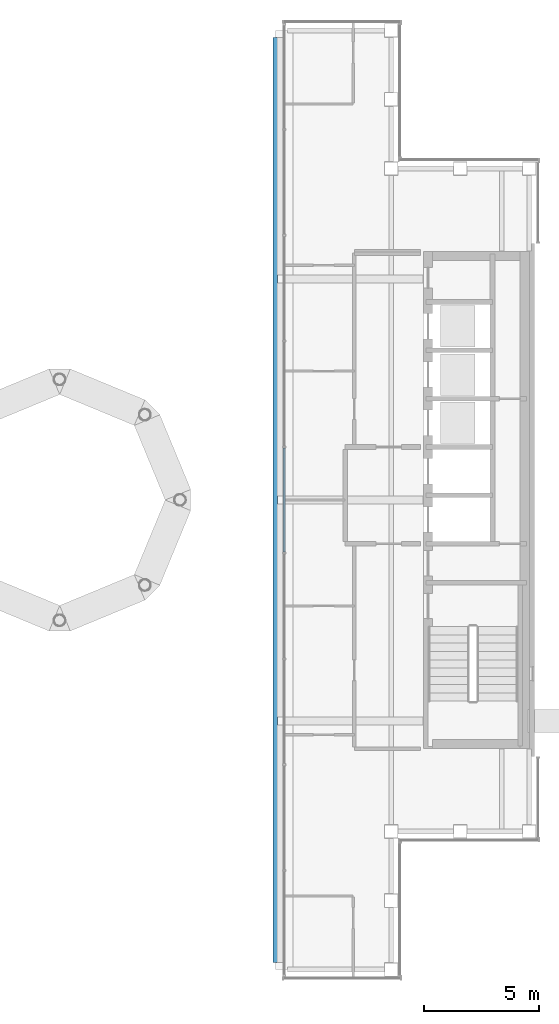
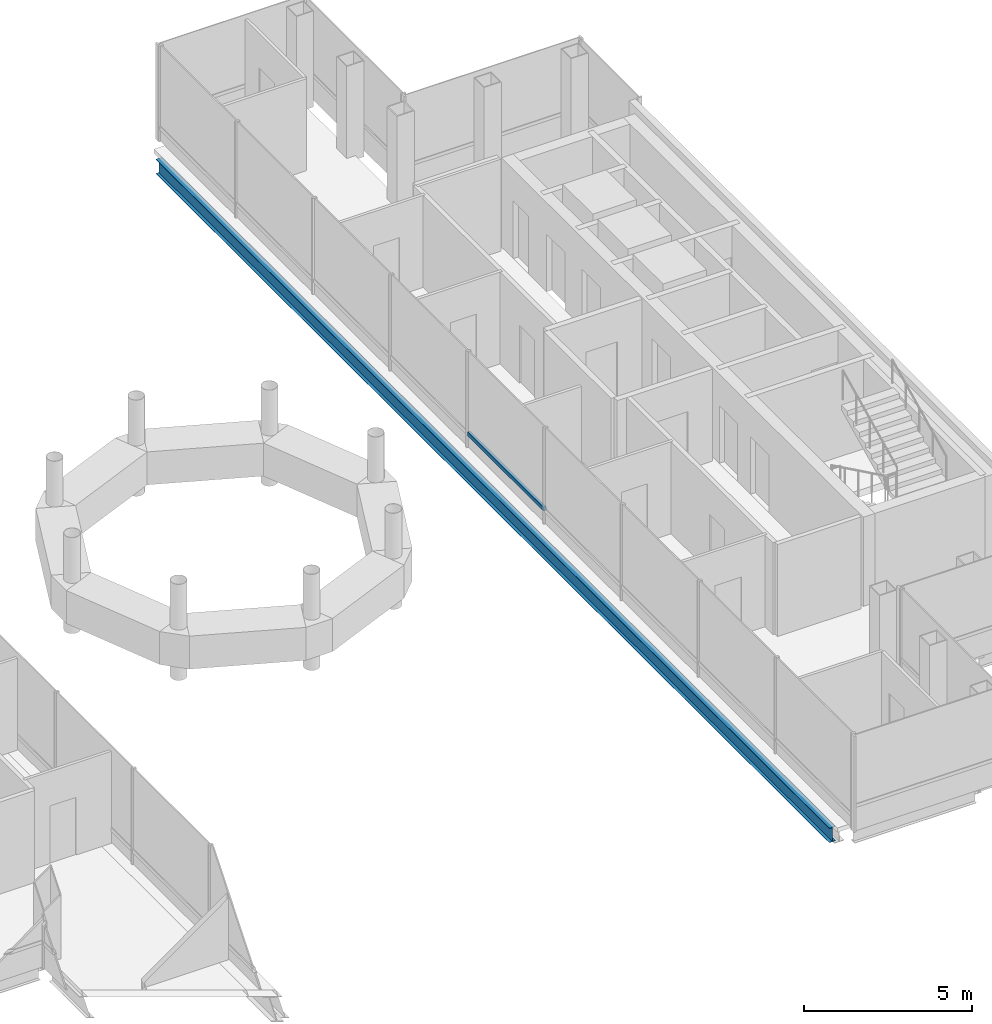
# One storey, part 10 of 21: 1 beam, 1 member, 1 element without a shape of its own.
"""IFC4 building model written with IfcOpenShell, lengths in metres."""

import ifcopenshell
import ifcopenshell.guid

model = None  # the IFC model being written
_history = None  # IfcOwnerHistory: only IFC2X3 demands one
_inside = {}  # id of a spatial element -> (the spatial element, [elements in it])
_under = {}  # id of a project, library or spatial element -> (it, [spatial elements below it])
_declared = {}  # id of a project -> (the project, [libraries it declares])
_typed = {}  # id of a type object -> (the type object, [elements of that type])
_made_of = {}  # id of a material, layer set ... -> (it, [elements and type objects made of it])


def new_model(schema):
    """Start an empty IFC model of exactly this schema.

    Asked for "IFC4X3", IfcOpenShell would pick the latest addendum, in which some entities
    have other attributes; the version numbers below select the first issue.
    IFC2X3 requires an IfcOwnerHistory on every rooted entity: one is made here for all.
    """
    global model, _history
    if schema == "IFC4X3":
        model = ifcopenshell.file(schema_version=(4, 3, 0, 0))
    else:
        model = ifcopenshell.file(schema=schema)
    _inside.clear()
    _under.clear()
    _declared.clear()
    _typed.clear()
    _made_of.clear()
    _history = None
    if model.schema == "IFC2X3":
        org = make("IfcOrganization", Name="unknown")
        user = make(
            "IfcPersonAndOrganization",
            ThePerson=make("IfcPerson", FamilyName="unknown"),
            TheOrganization=org,
        )
        app = make(
            "IfcApplication",
            ApplicationDeveloper=org,
            Version="unknown",
            ApplicationFullName="unknown",
            ApplicationIdentifier="unknown",
        )
        _history = make(
            "IfcOwnerHistory",
            OwningUser=user,
            OwningApplication=app,
            ChangeAction="ADDED",
            CreationDate=0,
        )
    return model


def make(cls, **values):
    """One entity of the class cls with the attributes given. An attribute that is None is left unset."""
    return model.create_entity(
        cls, **{name: value for name, value in values.items() if value is not None}
    )


def rooted(cls, **values):
    """An entity with a GlobalId (a new one), such as an element, a storey or a relation."""
    return make(cls, GlobalId=ifcopenshell.guid.new(), OwnerHistory=_history, **values)


def si_unit(unit_type, name, prefix=None):
    """IfcSIUnit, for example si_unit("LENGTHUNIT", "METRE", prefix="MILLI")."""
    return make("IfcSIUnit", UnitType=unit_type, Prefix=prefix, Name=name)


def assignment(units):
    """IfcUnitAssignment: the units of a project."""
    return None if units is None else make("IfcUnitAssignment", Units=units)


def point(xyz):
    """IfcCartesianPoint."""
    return None if xyz is None else make("IfcCartesianPoint", Coordinates=xyz)


def direction(xyz):
    """IfcDirection."""
    return None if xyz is None else make("IfcDirection", DirectionRatios=xyz)


def frame(location, z_axis=None, x_axis=None):
    """IfcAxis2Placement3D, a coordinate frame: its origin and axes. An axis left out is left unset."""
    return make(
        "IfcAxis2Placement3D",
        Location=point(location),
        Axis=direction(z_axis),
        RefDirection=direction(x_axis),
    )


def frame_2d(location, x_axis=None):
    """IfcAxis2Placement2D, a coordinate frame in the plane: its origin and x axis."""
    return make(
        "IfcAxis2Placement2D", Location=point(location), RefDirection=direction(x_axis)
    )


def origin():
    """The frame at (0, 0, 0) with its axes left unset."""
    return frame((0.0, 0.0, 0.0))


def origin_2d():
    """The frame at (0, 0) in the plane with its x axis left unset."""
    return frame_2d((0.0, 0.0))


def place(relative_to, where):
    """IfcLocalPlacement: puts the frame where relative to a parent placement (None: the world)."""
    return make(
        "IfcLocalPlacement", PlacementRelTo=relative_to, RelativePlacement=where
    )


def context(
    kind, dimensions, precision=None, world=None, true_north=None, identifier=None
):
    """IfcGeometricRepresentationContext, for example the 3D "Model" context."""
    return make(
        "IfcGeometricRepresentationContext",
        ContextIdentifier=identifier,
        ContextType=kind,
        CoordinateSpaceDimension=dimensions,
        Precision=precision,
        WorldCoordinateSystem=world,
        TrueNorth=true_north,
    )


def subcontext(parent, identifier, kind, view, scale=None):
    """IfcGeometricRepresentationSubContext, for example "Body" below "Model"."""
    return make(
        "IfcGeometricRepresentationSubContext",
        ContextIdentifier=identifier,
        ContextType=kind,
        ParentContext=parent,
        TargetScale=scale,
        TargetView=view,
    )


def project(units=None, contexts=None):
    """IfcProject with its units and contexts."""
    return rooted(
        "IfcProject",
        Name="project",
        RepresentationContexts=contexts,
        UnitsInContext=assignment(units),
    )


def spatial(cls, under=None, at=None, **own):
    """A site, building, storey or space (cls), placed at a placement, below another one or the project."""
    s = rooted(cls, ObjectPlacement=at, **own)
    if under is not None:
        _under.setdefault(under.id(), (under, []))[1].append(s)
    return s


def profile(cls, at=None, kind="AREA", **sizes):
    """A parametric profile (cls). Its sizes go by their IFC names, for example OverallWidth=200.0."""
    return make(cls, ProfileType=kind, Position=at, **sizes)


def rectangle(**sizes):
    """IfcRectangleProfileDef."""
    return profile("IfcRectangleProfileDef", **sizes)


def i_section(**sizes):
    """IfcIShapeProfileDef."""
    return profile("IfcIShapeProfileDef", **sizes)


def extrude(swept, where, along, depth):
    """IfcExtrudedAreaSolid: the profile swept, set in the frame where, extruded along a direction by depth."""
    return make(
        "IfcExtrudedAreaSolid",
        SweptArea=swept,
        Position=where,
        ExtrudedDirection=direction(along),
        Depth=depth,
    )


def shape(context_of_items, identifier, shape_type, items):
    """IfcShapeRepresentation: the items that make up one representation, for example the "Body"."""
    return make(
        "IfcShapeRepresentation",
        ContextOfItems=context_of_items,
        RepresentationIdentifier=identifier,
        RepresentationType=shape_type,
        Items=items,
    )


def material(Name=None, Category=None):
    """IfcMaterial."""
    return make("IfcMaterial", Name=Name, Category=Category)


def material_profile(
    of_material, cross_section, Name=None, Category=None, Priority=None
):
    """IfcMaterialProfile: a cross section and its material."""
    return make(
        "IfcMaterialProfile",
        Name=Name,
        Material=of_material,
        Profile=cross_section,
        Priority=Priority,
        Category=Category,
    )


def profile_set(profiles, Name=None, composite=None):
    """IfcMaterialProfileSet."""
    return make(
        "IfcMaterialProfileSet",
        Name=Name,
        MaterialProfiles=profiles,
        CompositeProfile=composite,
    )


def made_of(thing, what):
    """Note that an element or type object is made of a material, layer set ...; save() writes the relation."""
    if what is not None:
        _made_of.setdefault(what.id(), (what, []))[1].append(thing)
    return thing


def type_object(cls, material=None, **own):
    """A type object (cls), such as IfcWallType, which elements share."""
    return made_of(rooted(cls, **own), material)


def element(
    cls,
    number,
    at=None,
    inside=None,
    cuts=None,
    type_object=None,
    material=None,
    context=None,
    identifier="Body",
    shape_type=None,
    held_by="IfcProductDefinitionShape",
    body=None,
    shapes=None,
    **own,
):
    """One element of the class cls, such as IfcWall. Its Tag is "e" and its number.

    at: its placement. inside: the storey or other place that contains it. cuts: it is an
    opening in that element (IfcRelVoidsElement). A single representation is given by context,
    identifier, shape_type and body (its items); several are given by shapes. held_by: the class
    of the entity that holds the representations. save() writes the other relations.
    """
    e = rooted(cls, Tag="e%d" % number, ObjectPlacement=at, **own)
    if body is not None:
        shapes = [shape(context, identifier, shape_type, body)]
    if shapes is not None:
        e.Representation = make(held_by, Representations=shapes)
    if inside is not None:
        _inside.setdefault(inside.id(), (inside, []))[1].append(e)
    if cuts is not None:
        rooted(
            "IfcRelVoidsElement", RelatingBuildingElement=cuts, RelatedOpeningElement=e
        )
    if type_object is not None:
        _typed.setdefault(type_object.id(), (type_object, []))[1].append(e)
    return made_of(e, material)


def aggregate(whole, parts):
    """IfcRelAggregates: a whole, such as a stair, and the parts it consists of."""
    return rooted("IfcRelAggregates", RelatingObject=whole, RelatedObjects=parts)


def save(model, path):
    """Write the relations noted so far, then the file.

    IfcRelAggregates (storeys below a building ...), IfcRelContainedInSpatialStructure (elements
    in a storey), IfcRelDefinesByType, IfcRelAssociatesMaterial and IfcRelDeclares: one each for
    every whole, place, type object, material and project.
    """
    for whole, parts in _under.values():
        aggregate(whole, parts)
    for where, things in _inside.values():
        rooted(
            "IfcRelContainedInSpatialStructure",
            RelatedElements=things,
            RelatingStructure=where,
        )
    for kind, things in _typed.values():
        rooted("IfcRelDefinesByType", RelatedObjects=things, RelatingType=kind)
    for what, things in _made_of.values():
        rooted("IfcRelAssociatesMaterial", RelatedObjects=things, RelatingMaterial=what)
    for by, libraries in _declared.values():
        rooted("IfcRelDeclares", RelatingContext=by, RelatedDefinitions=libraries)
    model.write(path)


model = new_model("IFC4")

# Units and contexts
model_context = context("Model", 3, precision=1e-05, world=origin(), true_north=direction((0.0, 1.0)))
body_context = subcontext(model_context, "Body", "Model", "MODEL_VIEW")
ifc_project = project(units=[si_unit("LENGTHUNIT", "METRE"), si_unit("AREAUNIT", "SQUARE_METRE"), si_unit("VOLUMEUNIT", "CUBIC_METRE"), si_unit("PLANEANGLEUNIT", "RADIAN"), si_unit("MASSUNIT", "GRAM", prefix="KILO")], contexts=[model_context])

# Site, building, storey
site_placement = place(None, origin())
site = spatial("IfcSite", under=ifc_project, at=site_placement, CompositionType="ELEMENT")
building_placement = place(site_placement, origin())
building = spatial("IfcBuilding", under=site, at=building_placement, Name="Cobrizo Arcos Hotel Tower", CompositionType="ELEMENT")
storey_placement = place(building_placement, frame((0.0, 0.0, 279.5)))
storey = spatial("IfcBuildingStorey", under=building, at=storey_placement, Name="L74", CompositionType="ELEMENT", Elevation=279.5)

# Curtain wall, member
ifc_material_1 = material(Name="Aluminium 6063-T6 anodised bronze", Category="aluminium")
curtain_wall_type = type_object("IfcCurtainWallType", Name="CW-C arch infill and crown glazing", PredefinedType="NOTDEFINED", material=ifc_material_1)
curtain_wall_placement = place(storey_placement, origin())
curtain_wall = element("IfcCurtainWall", 1, at=curtain_wall_placement, inside=storey, type_object=curtain_wall_type, Name="CW-C L74 W face", PredefinedType="NOTDEFINED")
ifc_material_profile_1 = material_profile(ifc_material_1, rectangle(XDim=0.10009765625, YDim=0.139892578125, at=origin_2d()), Name="CW-C transom 140x100")
ifc_profile_set_1 = profile_set([ifc_material_profile_1], Name="Aluminium 6063-T6 anodised bronze")
member_type = type_object("IfcMemberType", Name="CW-C transom 140x100", PredefinedType="USERDEFINED", material=ifc_profile_set_1)
member_placement = place(storey_placement, frame((9.7529296875, 2.264892578125, 0.5), z_axis=(0.0, -1.0, 0.0), x_axis=(1.0, 0.0, 0.0)))
member = element("IfcMember", 2, at=member_placement, type_object=member_type, Name="CW-C transom 2329", ObjectType="TRANSOM", PredefinedType="USERDEFINED", context=body_context, shape_type="SweptSolid", body=[
    extrude(rectangle(XDim=0.10009765625, YDim=0.139892578125, at=origin_2d()), origin(), (0.0, 0.0, 1.0), 4.52978515625),
])
aggregate(curtain_wall, [member])

# Beam
ifc_material_2 = material(Name="Steel ASTM A992 Grade 50", Category="steel")
ifc_material_profile_2 = material_profile(ifc_material_2, i_section(OverallWidth=0.209228515625, OverallDepth=0.533447265625, WebThickness=0.01025390625, FlangeThickness=0.015625, at=origin_2d()), Name="W21X62")
ifc_profile_set_2 = profile_set([ifc_material_profile_2], Name="Steel ASTM A992 Grade 50")
beam_type = type_object("IfcBeamType", Name="W21X62 spandrel", PredefinedType="SPANDREL", material=ifc_profile_set_2)
beam_placement = place(storey_placement, frame((9.364990234375, -20.10009765625, -0.416748046875), z_axis=(0.0, 1.0, 0.0), x_axis=(-1.0, 0.0, 0.0)))
element("IfcBeam", 3, at=beam_placement, inside=storey, type_object=beam_type, Name="Spandrel beam W21X62, L74, no. 026", PredefinedType="SPANDREL", context=body_context, shape_type="SweptSolid", body=[
    extrude(i_section(OverallWidth=0.209228515625, OverallDepth=0.533447265625, WebThickness=0.01025390625, FlangeThickness=0.015625, at=origin_2d()), origin(), (0.0, 0.0, 1.0), 40.2001953125),
])

save(model, "model.ifc")
